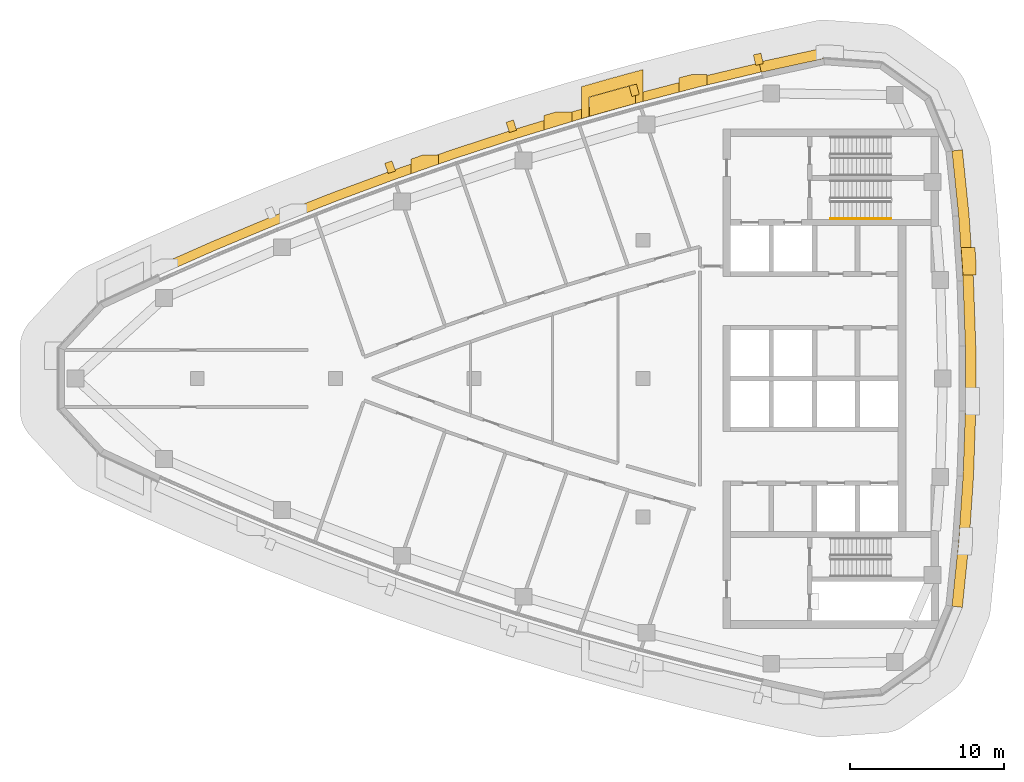
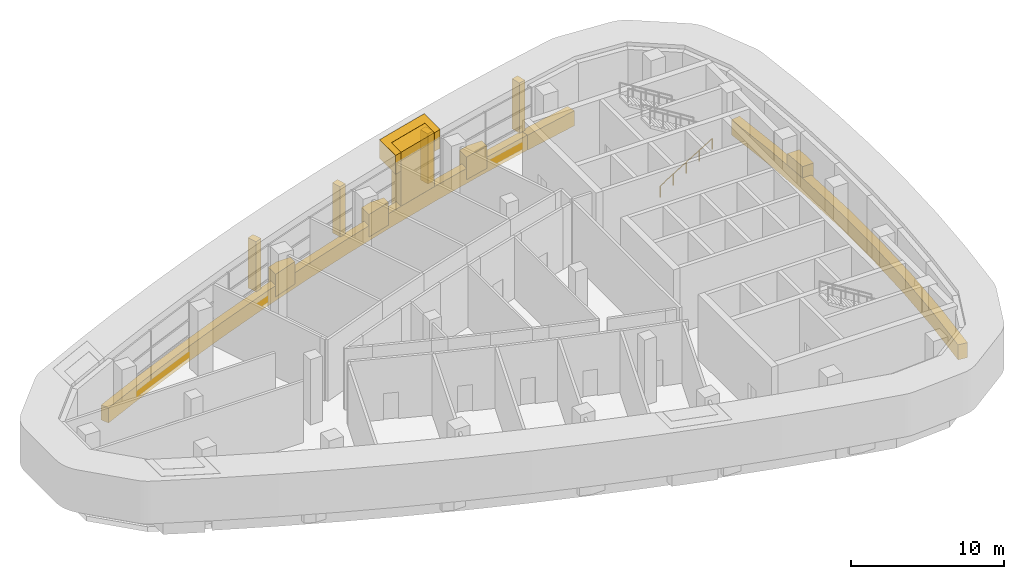
# One storey, part 13 of 14: 13 coverings, 1 railing.
"""IFC4 building model written with IfcOpenShell, lengths in metres."""

from ifc_helpers import new_model, si_unit, direction, frame, frame_2d, origin, origin_2d, place, context, subcontext, project, spatial, polyline, rectangle, circle, outline, extrude, material, layer, layer_set, type_object, element, save


model = new_model("IFC4")

# Units and contexts
model_context = context("Model", 3, precision=1e-05, world=origin(), true_north=direction((0.0, 1.0)))
body_context = subcontext(model_context, "Body", "Model", "MODEL_VIEW")
ifc_project = project(units=[si_unit("LENGTHUNIT", "METRE"), si_unit("AREAUNIT", "SQUARE_METRE"), si_unit("VOLUMEUNIT", "CUBIC_METRE"), si_unit("PLANEANGLEUNIT", "RADIAN"), si_unit("MASSUNIT", "GRAM", prefix="KILO")], contexts=[model_context])

# Site, building, storey
site_placement = place(None, origin())
site = spatial("IfcSite", under=ifc_project, at=site_placement, CompositionType="ELEMENT")
building_placement = place(site_placement, origin())
building = spatial("IfcBuilding", under=site, at=building_placement, Name="Ostrand Prow Hotel Tower", CompositionType="ELEMENT")
storey_placement = place(building_placement, frame((0.0, 0.0, 303.39990234375)))
storey = spatial("IfcBuildingStorey", under=building, at=storey_placement, Name="L77", CompositionType="ELEMENT", Elevation=303.39990234375)

# Coverings
ifc_material_1 = material(Name="Limestone cladding", Category="masonry")
ifc_layer_1 = layer(ifc_material_1, 2.0)
ifc_layer_set_1 = layer_set([ifc_layer_1], Name="Limestone cladding")
covering_type_1 = type_object("IfcCoveringType", Name="Belt lip limestone", PredefinedType="CLADDING", material=ifc_layer_set_1)
covering_1_placement = place(storey_placement, origin())
element("IfcCovering", 1, at=covering_1_placement, inside=storey, type_object=covering_type_1, Name="Belt fin 11 L77", PredefinedType="CLADDING", context=body_context, shape_type="SweptSolid", body=[
    extrude(outline(polyline([(66.64990234375, 7.66357421875), (66.590576171875, 8.532958984375), (65.6884765625, 8.532958984375), (65.8115234375, 6.73291015625), (66.64990234375, 6.73291015625), (66.64990234375, 7.66357421875)])), origin(), (0.0, 0.0, 1.0), 1.800048828125),
])
covering_2_placement = place(storey_placement, origin())
element("IfcCovering", 2, at=covering_2_placement, inside=storey, type_object=covering_type_1, Name="Belt fin 14 L77", PredefinedType="CLADDING", context=body_context, shape_type="SweptSolid", body=[
    extrude(outline(polyline([(48.65771484375, 18.97900390625), (49.152099609375, 19.097412109375), (49.152099609375, 19.773193359375), (48.13671875, 19.773193359375), (47.35205078125, 19.568603515625), (47.35205078125, 18.638671875), (48.65771484375, 18.97900390625)])), origin(), (0.0, 0.0, 1.0), 1.800048828125),
])
covering_3_placement = place(storey_placement, origin())
element("IfcCovering", 3, at=covering_3_placement, inside=storey, type_object=covering_type_1, Name="Belt fin 15 L77", PredefinedType="CLADDING", context=body_context, shape_type="SweptSolid", body=[
    extrude(outline(polyline([(39.327880859375, 17.343994140625), (38.56201171875, 17.11083984375), (38.56201171875, 16.170166015625), (40.36181640625, 16.717529296875), (40.36181640625, 17.343994140625), (39.327880859375, 17.343994140625)])), origin(), (0.0, 0.0, 1.0), 1.800048828125),
])
covering_4_placement = place(storey_placement, origin())
element("IfcCovering", 4, at=covering_4_placement, inside=storey, type_object=covering_type_1, Name="Belt fin 16 L77", PredefinedType="CLADDING", context=body_context, shape_type="SweptSolid", body=[
    extrude(outline(polyline([(30.634521484375, 14.531494140625), (29.88671875, 14.27099609375), (29.88671875, 13.31787109375), (31.686767578125, 13.9453125), (31.686767578125, 14.531494140625), (30.634521484375, 14.531494140625)])), origin(), (0.0, 0.0, 1.0), 1.800048828125),
])
ifc_material_2 = material(Name="Bronze anodised aluminium cladding", Category="aluminium")
ifc_layer_2 = layer(ifc_material_2, 0.60009765625)
ifc_layer_set_2 = layer_set([ifc_layer_2], Name="Bronze anodised aluminium cladding")
covering_type_2 = type_object("IfcCoveringType", Name="Bronze spandrel band 1200x600", PredefinedType="CLADDING", material=ifc_layer_set_2)
covering_5_placement = place(storey_placement, frame((0.0, 0.0, -0.2998046875)))
element("IfcCovering", 5, at=covering_5_placement, inside=storey, type_object=covering_type_2, Name="Spandrel band N1", PredefinedType="CLADDING", context=body_context, shape_type="SweptSolid", body=[
    extrude(outline(polyline([(52.55615234375, 20.52880859375), (48.51220703125, 19.56103515625), (44.48828125, 18.51220703125), (40.486328125, 17.382568359375), (36.508056640625, 16.172607421875), (32.5546875, 14.88330078125), (28.62841796875, 13.514404296875), (24.72998046875, 12.067138671875), (20.86181640625, 10.541748046875), (17.02490234375, 8.938720703125), (13.220947265625, 7.25927734375), (13.468994140625, 6.712890625), (17.26171875, 8.3876953125), (21.08740234375, 9.98583984375), (24.944580078125, 11.5068359375), (28.83154296875, 12.949951171875), (32.74658203125, 14.314697265625), (36.6884765625, 15.6005859375), (40.6552734375, 16.806884765625), (44.6455078125, 17.93310546875), (48.65771484375, 18.97900390625), (52.68994140625, 19.94384765625), (52.55615234375, 20.52880859375)])), origin(), (0.0, 0.0, 1.0), 1.199951171875),
])
covering_6_placement = place(storey_placement, frame((0.0, 0.0, -0.2998046875)))
element("IfcCovering", 6, at=covering_6_placement, inside=storey, type_object=covering_type_2, Name="Spandrel band back 3", PredefinedType="CLADDING", context=body_context, shape_type="SweptSolid", body=[
    extrude(outline(polyline([(65.77197265625, -14.887451171875), (66.2080078125, -10.646240234375), (66.498779296875, -6.392822265625), (66.644287109375, -2.131591796875), (66.644287109375, 2.131591796875), (66.498779296875, 6.392822265625), (66.2080078125, 10.646240234375), (65.77197265625, 14.887451171875), (65.0966796875, 14.806396484375), (65.530517578125, 10.58837890625), (65.819580078125, 6.35791015625), (65.964599609375, 2.1201171875), (65.964599609375, -2.1201171875), (65.819580078125, -6.35791015625), (65.530517578125, -10.58837890625), (65.0966796875, -14.806396484375), (65.77197265625, -14.887451171875)])), origin(), (0.0, 0.0, 1.0), 1.199951171875),
])
covering_7_placement = place(storey_placement, frame((0.0, 0.0, -0.2998046875)))
element("IfcCovering", 7, at=covering_7_placement, inside=storey, type_object=covering_type_2, Name="Spandrel band back 5", PredefinedType="CLADDING", context=body_context, shape_type="SweptSolid", body=[
    extrude(outline(polyline([(56.606201171875, 21.476318359375), (52.542236328125, 20.58984375), (52.69384765625, 19.927001953125), (56.744384765625, 20.810546875), (56.606201171875, 21.476318359375)])), origin(), (0.0, 0.0, 1.0), 1.199951171875),
])
ifc_material_3 = material(Name="Limestone cladding", Category="masonry")
ifc_layer_3 = layer(ifc_material_3, 5.0)
ifc_layer_set_3 = layer_set([ifc_layer_3], Name="Limestone cladding")
covering_type_3 = type_object("IfcCoveringType", Name="Portal jamb pilaster limestone", PredefinedType="CLADDING", material=ifc_layer_set_3)
covering_8_placement = place(storey_placement, origin())
element("IfcCovering", 8, at=covering_8_placement, inside=storey, type_object=covering_type_3, Name="Portal jamb NB L77", PredefinedType="CLADDING", context=body_context, shape_type="SweptSolid", body=[
    extrude(outline(polyline([(41.5, 17.052490234375), (42.5, 17.338134765625), (43.5, 17.61865234375), (44.5, 17.8935546875), (44.5, 19.136962890625), (43.5, 18.86376953125), (42.5, 18.585205078125), (41.5, 18.301025390625), (41.5, 17.052490234375)])), origin(), (0.0, 0.0, 1.0), 5.2001953125),
])
ifc_material_4 = material(Name="Limestone cladding", Category="masonry")
ifc_layer_4 = layer(ifc_material_4, 4.0)
ifc_layer_set_4 = layer_set([ifc_layer_4], Name="Limestone cladding")
covering_type_4 = type_object("IfcCoveringType", Name="Portal lintel limestone", PredefinedType="CLADDING", material=ifc_layer_set_4)
covering_9_placement = place(storey_placement, frame((0.0, 0.0, 3.7001953125)))
element("IfcCovering", 9, at=covering_9_placement, inside=storey, type_object=covering_type_4, Name="Portal jamb cap NB L77", PredefinedType="CLADDING", context=body_context, shape_type="SweptSolid", body=[
    extrude(outline(polyline([(41.0, 18.98974609375), (41.0, 16.907470703125), (41.490478515625, 17.049072265625), (41.490478515625, 17.049560546875), (41.490234375, 17.050537109375), (41.489990234375, 17.051513671875), (41.489990234375, 17.052490234375), (41.489990234375, 18.301025390625), (41.489990234375, 18.302001953125), (41.490234375, 18.302978515625), (41.490478515625, 18.303955078125), (41.49072265625, 18.304931640625), (41.4912109375, 18.305908203125), (41.49169921875, 18.306640625), (41.4921875, 18.3076171875), (41.492919921875, 18.308349609375), (41.493896484375, 18.308837890625), (41.49462890625, 18.3095703125), (41.495361328125, 18.31005859375), (41.496337890625, 18.310302734375), (41.497314453125, 18.310791015625), (42.497314453125, 18.5947265625), (42.497314453125, 18.5947265625), (43.497314453125, 18.873291015625), (43.497314453125, 18.873291015625), (44.497314453125, 19.146484375), (44.498291015625, 19.146728515625), (44.499267578125, 19.14697265625), (44.500244140625, 19.14697265625), (44.501220703125, 19.14697265625), (44.502197265625, 19.146728515625), (44.503173828125, 19.146484375), (44.50390625, 19.14599609375), (44.5048828125, 19.145751953125), (44.505615234375, 19.145263671875), (44.50634765625, 19.14453125), (44.507080078125, 19.143798828125), (44.5078125, 19.143310546875), (44.50830078125, 19.142333984375), (44.5087890625, 19.1416015625), (44.50927734375, 19.140625), (44.509521484375, 19.139892578125), (44.509765625, 19.138916015625), (44.510009765625, 19.137939453125), (44.510009765625, 19.136962890625), (44.510009765625, 17.8955078125), (45.0, 18.029052734375), (45.0, 20.099609375), (44.0, 19.830078125), (43.0, 19.555419921875), (42.0, 19.275390625), (41.0, 18.98974609375)])), origin(), (0.0, 0.0, 1.0), 1.5),
])
ifc_material_5 = material(Name="Limestone cladding", Category="masonry")
ifc_layer_5 = layer(ifc_material_5, 0.5)
ifc_layer_set_5 = layer_set([ifc_layer_5], Name="Limestone cladding")
covering_type_5 = type_object("IfcCoveringType", Name="Precast stone fin 500x600", PredefinedType="CLADDING", material=ifc_layer_set_5)
covering_10_placement = place(storey_placement, frame((52.578369140625, 20.431396484375, 0.900146484375), z_axis=(0.0, 0.0, 1.0), x_axis=(-0.222872153431, 0.974847682064, 0.0)))
element("IfcCovering", 10, at=covering_10_placement, inside=storey, type_object=covering_type_5, Name="Stone fin N 1", PredefinedType="CLADDING", context=body_context, shape_type="SweptSolid", body=[
    extrude(rectangle(XDim=0.699951171875, YDim=0.5, at=frame_2d((0.35009765625, 0.0))), origin(), (0.0, 0.0, 1.0), 4.0),
])
for number, where, z_axis, x_axis, name in (
    (11, (44.514404296875, 18.41552734375, 0.900146484375), (0.0, 0.0, 1.0), (-0.261848568536, 0.965108971648, 0.0), "Stone fin N 3"),
    (12, (36.5380859375, 16.077392578125, 0.900146484375), (0.0, 0.0, 1.0), (-0.30059725976, 0.953751166408, 0.0), "Stone fin N 5"),
):
    element("IfcCovering", number, at=place(storey_placement, frame(where, z_axis=z_axis, x_axis=x_axis)), inside=storey, type_object=covering_type_5, Name=name, PredefinedType="CLADDING", context=body_context, shape_type="SweptSolid", body=[
        extrude(rectangle(XDim=0.7001953125, YDim=0.5, at=frame_2d((0.35009765625, 0.0))), origin(), (0.0, 0.0, 1.0), 4.0),
    ])
covering_11_placement = place(storey_placement, frame((28.662109375, 13.42041015625, 0.900146484375), z_axis=(0.0, 0.0, 1.0), x_axis=(-0.338633021138, 0.940918528352, 0.0)))
element("IfcCovering", 13, at=covering_11_placement, inside=storey, type_object=covering_type_5, Name="Stone fin N 7", PredefinedType="CLADDING", context=body_context, shape_type="SweptSolid", body=[
    extrude(rectangle(XDim=0.699951171875, YDim=0.5, at=frame_2d((0.35009765625, 0.0))), origin(), (0.0, 0.0, 1.0), 4.0),
])

# Railing
ifc_material_6 = material(Name="Stainless steel", Category="steel")
railing_type = type_object("IfcRailingType", Name="Stair handrail 900", PredefinedType="HANDRAIL", material=ifc_material_6)
railing_placement = place(storey_placement, frame((57.199951171875, 10.39990234375, 0.17333984375)))
element("IfcRailing", 14, at=railing_placement, inside=storey, type_object=railing_type, Name="L77 ST1C stair handrail 1", PredefinedType="HANDRAIL", context=body_context, shape_type="SweptSolid", body=[
    extrude(circle(Radius=0.02392578125, at=origin_2d()), frame((0.0, 0.0, 0.8759765625), z_axis=(0.850266275192, 0.0, 0.526352791643), x_axis=(0.0, 1.0, 0.0)), (0.0, 0.0, 1.0), 4.610595703125),
    extrude(circle(Radius=0.02099609375, at=origin_2d()), origin(), (0.0, 0.0, 1.0), 0.851806640625),
    extrude(circle(Radius=0.02099609375, at=origin_2d()), frame((0.97998046875, 0.0, 0.606689453125)), (0.0, 0.0, 1.0), 0.851806640625),
    extrude(circle(Radius=0.02099609375, at=origin_2d()), frame((1.9599609375, 0.0, 1.21337890625)), (0.0, 0.0, 1.0), 0.851806640625),
    extrude(circle(Radius=0.02099609375, at=origin_2d()), frame((2.940185546875, 0.0, 1.820068359375)), (0.0, 0.0, 1.0), 0.851806640625),
    extrude(circle(Radius=0.02099609375, at=origin_2d()), frame((3.920166015625, 0.0, 2.4267578125)), (0.0, 0.0, 1.0), 0.851806640625),
])

save(model, "model.ifc")
